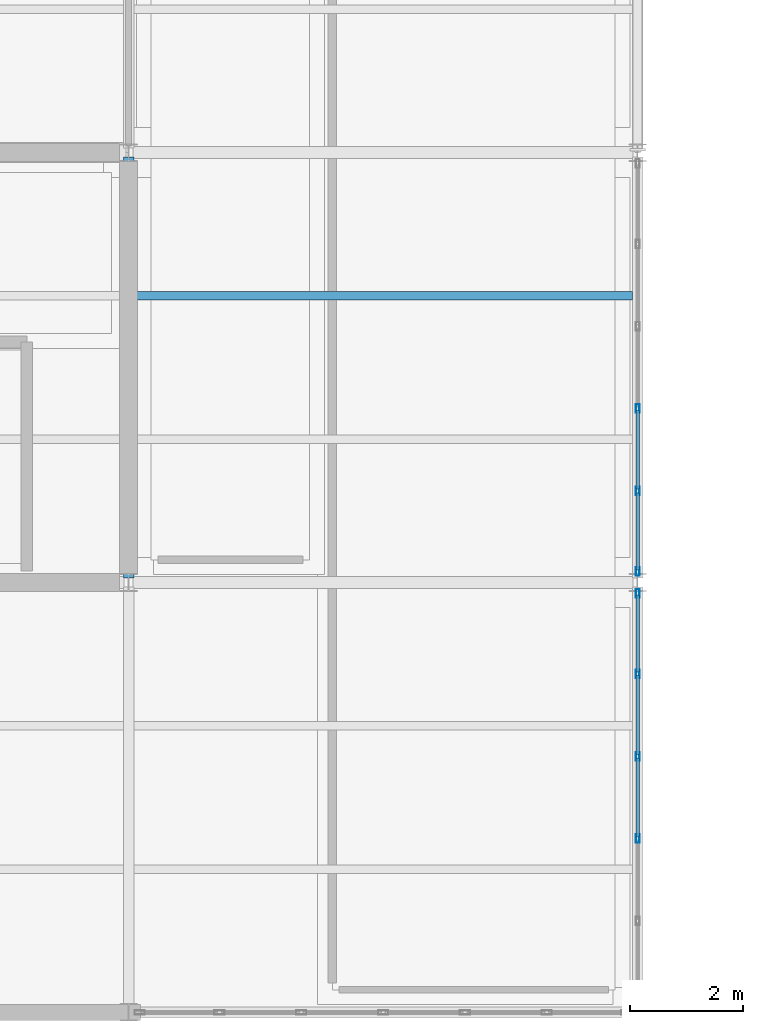
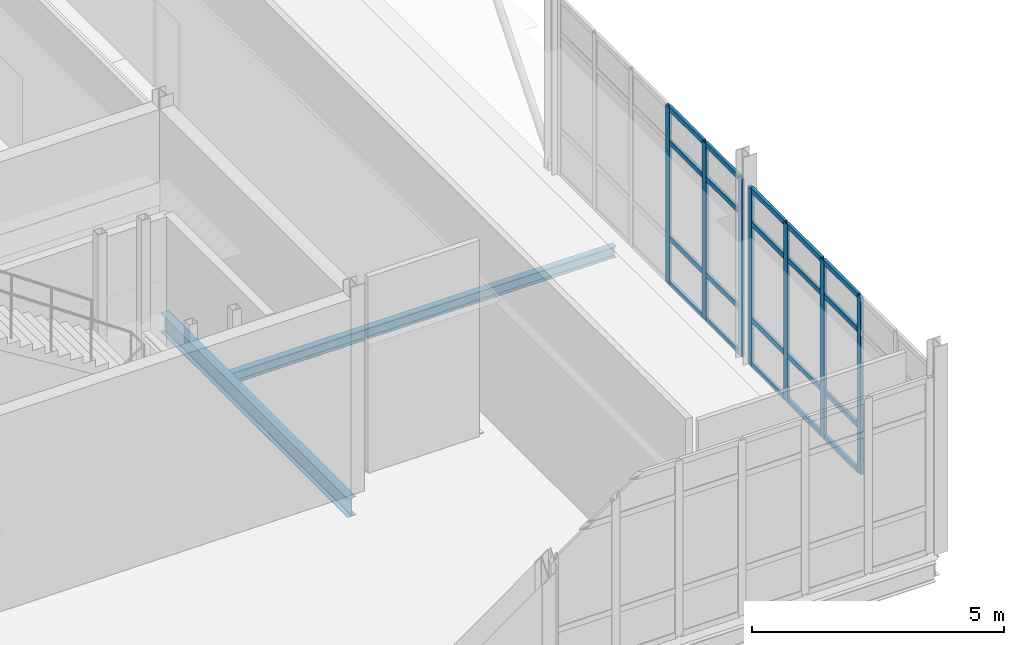
# One storey, part 111 of 161: 27 members, 2 beams, 2 elements without a shape of their own.
"""IFC4 building model written with IfcOpenShell, lengths in metres."""

from ifc_helpers import new_model, si_unit, direction, frame, origin, origin_2d, place, context, subcontext, project, spatial, hollow_rectangle, i_section, extrude, material, material_profile, profile_set, type_object, element, aggregate, save


model = new_model("IFC4")

# Units and contexts
model_context = context("Model", 3, precision=1e-05, world=origin(), true_north=direction((0.0, 1.0)))
body_context = subcontext(model_context, "Body", "Model", "MODEL_VIEW")
ifc_project = project(units=[si_unit("LENGTHUNIT", "METRE"), si_unit("AREAUNIT", "SQUARE_METRE"), si_unit("VOLUMEUNIT", "CUBIC_METRE"), si_unit("PLANEANGLEUNIT", "RADIAN"), si_unit("MASSUNIT", "GRAM", prefix="KILO")], contexts=[model_context])

# Site, building, storey
site_placement = place(None, origin())
site = spatial("IfcSite", under=ifc_project, at=site_placement, CompositionType="ELEMENT")
building_placement = place(site_placement, origin())
building = spatial("IfcBuilding", under=site, at=building_placement, Name="Caisbarro Railhouse Central Library", CompositionType="ELEMENT")
storey_placement = place(building_placement, origin())
storey = spatial("IfcBuildingStorey", under=building, at=storey_placement, Name="L00", CompositionType="ELEMENT", Elevation=0.0)

# Beams
ifc_material_1 = material(Name="Steel ASTM A572 Grade 50", Category="steel")
ifc_material_profile_1 = material_profile(ifc_material_1, i_section(OverallWidth=0.18994140625, OverallDepth=0.45703125, WebThickness=0.009033203125, FlangeThickness=0.014404296875, FilletRadius=0.01806640625, at=origin_2d()), Name="W460X74.0")
ifc_profile_set_1 = profile_set([ifc_material_profile_1], Name="Steel ASTM A572 Grade 50")
beam_type_1 = type_object("IfcBeamType", Name="BM-G08", PredefinedType="BEAM", material=ifc_profile_set_1)
beam_1_placement = place(storey_placement, frame((144.0, 68.47998046875, -0.478515625), z_axis=(0.0, 1.0, 0.0), x_axis=(-1.0, 0.0, 0.0)))
element("IfcBeam", 1, at=beam_1_placement, inside=storey, type_object=beam_type_1, Name="G08 beam L00 #544", PredefinedType="BEAM", context=body_context, shape_type="SweptSolid", body=[
    extrude(i_section(OverallWidth=0.18994140625, OverallDepth=0.45703125, WebThickness=0.009033203125, FlangeThickness=0.014404296875, FilletRadius=0.01806640625, at=origin_2d()), origin(), (0.0, 0.0, 1.0), 7.43994140625),
])
ifc_material_profile_2 = material_profile(ifc_material_1, i_section(OverallWidth=0.14794921875, OverallDepth=0.26611328125, WebThickness=0.007568359375, FlangeThickness=0.012939453125, FilletRadius=0.010009765625, at=origin_2d()), Name="W250X44.8")
ifc_profile_set_2 = profile_set([ifc_material_profile_2], Name="Steel ASTM A572 Grade 50")
beam_type_2 = type_object("IfcBeamType", Name="BM-J04", PredefinedType="JOIST", material=ifc_profile_set_2)
beam_2_placement = place(storey_placement, frame((144.094970703125, 73.466796875, -0.383056640625), z_axis=(1.0, 0.0, 0.0), x_axis=(0.0, 1.0, 0.0)))
element("IfcBeam", 2, at=beam_2_placement, inside=storey, type_object=beam_type_2, Name="J04 beam L00 #602", PredefinedType="JOIST", context=body_context, shape_type="SweptSolid", body=[
    extrude(i_section(OverallWidth=0.14794921875, OverallDepth=0.26611328125, WebThickness=0.007568359375, FlangeThickness=0.012939453125, FilletRadius=0.010009765625, at=origin_2d()), origin(), (0.0, 0.0, 1.0), 8.81005859375),
])

# Curtain wall, members
ifc_material_2 = material(Name="Anodised architectural aluminium", Category="aluminium")
curtain_wall_type = type_object("IfcCurtainWallType", Name="CW-CW03", PredefinedType="NOTDEFINED", material=ifc_material_2)
curtain_wall_1_placement = place(storey_placement, origin())
curtain_wall_1 = element("IfcCurtainWall", 3, at=curtain_wall_1_placement, inside=storey, type_object=curtain_wall_type, Name="CW03 curtain wall L00 #106", PredefinedType="NOTDEFINED")
ifc_material_profile_3 = material_profile(ifc_material_2, hollow_rectangle(XDim=0.06494140625, YDim=0.14990234375, WallThickness=0.00390625, at=origin_2d()), Name="ALU-MUL-65X150")
ifc_profile_set_3 = profile_set([ifc_material_profile_3], Name="Anodised architectural aluminium")
member_type_1 = type_object("IfcMemberType", Name="CWM-M02", PredefinedType="MULLION", material=ifc_profile_set_3)
member_1_placement = place(storey_placement, frame((153.0, 63.8720703125, 0.0), z_axis=(0.0, 0.0, 1.0), x_axis=(-1.0, 0.0, 0.0)))
member_1 = element("IfcMember", 4, at=member_1_placement, type_object=member_type_1, Name="CW03 mullion 3", PredefinedType="MULLION", context=body_context, shape_type="SweptSolid", body=[
    extrude(hollow_rectangle(XDim=0.06494140625, YDim=0.14990234375, WallThickness=0.00390625, at=origin_2d()), origin(), (0.0, 0.0, 1.0), 4.300048828125),
])
member_2_placement = place(storey_placement, frame((153.0, 65.327880859375, 0.0), z_axis=(0.0, 0.0, 1.0), x_axis=(-1.0, 0.0, 0.0)))
member_2 = element("IfcMember", 5, at=member_2_placement, type_object=member_type_1, Name="CW03 mullion 4", PredefinedType="MULLION", context=body_context, shape_type="SweptSolid", body=[
    extrude(hollow_rectangle(XDim=0.06494140625, YDim=0.14990234375, WallThickness=0.00390625, at=origin_2d()), origin(), (0.0, 0.0, 1.0), 4.300048828125),
])
member_3_placement = place(storey_placement, frame((153.0, 66.783935546875, 0.0), z_axis=(0.0, 0.0, 1.0), x_axis=(-1.0, 0.0, 0.0)))
member_3 = element("IfcMember", 6, at=member_3_placement, type_object=member_type_1, Name="CW03 mullion 5", PredefinedType="MULLION", context=body_context, shape_type="SweptSolid", body=[
    extrude(hollow_rectangle(XDim=0.06494140625, YDim=0.14990234375, WallThickness=0.00390625, at=origin_2d()), origin(), (0.0, 0.0, 1.0), 4.300048828125),
])
member_4_placement = place(storey_placement, frame((153.0, 68.20751953125, 0.0), z_axis=(0.0, 0.0, 1.0), x_axis=(-1.0, 0.0, 0.0)))
member_4 = element("IfcMember", 7, at=member_4_placement, type_object=member_type_1, Name="CW03 mullion 6", PredefinedType="MULLION", context=body_context, shape_type="SweptSolid", body=[
    extrude(hollow_rectangle(XDim=0.06494140625, YDim=0.14990234375, WallThickness=0.00390625, at=origin_2d()), origin(), (0.0, 0.0, 1.0), 4.300048828125),
])

curtain_wall_2_placement = place(storey_placement, origin())
curtain_wall_2 = element("IfcCurtainWall", 8, at=curtain_wall_2_placement, inside=storey, type_object=curtain_wall_type, Name="CW03 curtain wall L00 #107", PredefinedType="NOTDEFINED")
member_5_placement = place(storey_placement, frame((153.0, 68.592529296875, 0.0), z_axis=(0.0, 0.0, 1.0), x_axis=(-1.0, 0.0, 0.0)))
member_5 = element("IfcMember", 9, at=member_5_placement, type_object=member_type_1, Name="CW03 mullion 1", PredefinedType="MULLION", context=body_context, shape_type="SweptSolid", body=[
    extrude(hollow_rectangle(XDim=0.06494140625, YDim=0.14990234375, WallThickness=0.00390625, at=origin_2d()), origin(), (0.0, 0.0, 1.0), 4.300048828125),
])
member_6_placement = place(storey_placement, frame((153.0, 70.01611328125, 0.0), z_axis=(0.0, 0.0, 1.0), x_axis=(-1.0, 0.0, 0.0)))
member_6 = element("IfcMember", 10, at=member_6_placement, type_object=member_type_1, Name="CW03 mullion 2", PredefinedType="MULLION", context=body_context, shape_type="SweptSolid", body=[
    extrude(hollow_rectangle(XDim=0.06494140625, YDim=0.14990234375, WallThickness=0.00390625, at=origin_2d()), origin(), (0.0, 0.0, 1.0), 4.300048828125),
])
member_7_placement = place(storey_placement, frame((153.0, 71.471923828125, 0.0), z_axis=(0.0, 0.0, 1.0), x_axis=(-1.0, 0.0, 0.0)))
member_7 = element("IfcMember", 11, at=member_7_placement, type_object=member_type_1, Name="CW03 mullion 3", PredefinedType="MULLION", context=body_context, shape_type="SweptSolid", body=[
    extrude(hollow_rectangle(XDim=0.06494140625, YDim=0.14990234375, WallThickness=0.00390625, at=origin_2d()), origin(), (0.0, 0.0, 1.0), 4.300048828125),
])

# Member
ifc_material_profile_4 = material_profile(ifc_material_2, hollow_rectangle(XDim=0.06494140625, YDim=0.1201171875, WallThickness=0.00341796875, at=origin_2d()), Name="ALU-TRN-65X120")
ifc_profile_set_4 = profile_set([ifc_material_profile_4], Name="Anodised architectural aluminium")
member_type_2 = type_object("IfcMemberType", Name="CWT-T02", PredefinedType="USERDEFINED", material=ifc_profile_set_4)
member_8_placement = place(storey_placement, frame((153.0, 63.904541015625, 0.032470703125), z_axis=(0.0, 1.0, 0.0), x_axis=(-1.0, 0.0, 0.0)))
member_8 = element("IfcMember", 12, at=member_8_placement, type_object=member_type_2, Name="CW03 transom 3.1", ObjectType="TRANSOM", PredefinedType="USERDEFINED", context=body_context, shape_type="SweptSolid", body=[
    extrude(hollow_rectangle(XDim=0.06494140625, YDim=0.1201171875, WallThickness=0.00341796875, at=origin_2d()), origin(), (0.0, 0.0, 1.0), 1.390869140625),
])

member_9_placement = place(storey_placement, frame((153.0, 63.904541015625, 1.1201171875), z_axis=(0.0, 1.0, 0.0), x_axis=(-1.0, 0.0, 0.0)))
member_9 = element("IfcMember", 13, at=member_9_placement, type_object=member_type_2, Name="CW03 transom 3.2", ObjectType="TRANSOM", PredefinedType="USERDEFINED", context=body_context, shape_type="SweptSolid", body=[
    extrude(hollow_rectangle(XDim=0.06494140625, YDim=0.1201171875, WallThickness=0.00341796875, at=origin_2d()), origin(), (0.0, 0.0, 1.0), 1.390869140625),
])

member_10_placement = place(storey_placement, frame((153.0, 63.904541015625, 3.449951171875), z_axis=(0.0, 1.0, 0.0), x_axis=(-1.0, 0.0, 0.0)))
member_10 = element("IfcMember", 14, at=member_10_placement, type_object=member_type_2, Name="CW03 transom 3.3", ObjectType="TRANSOM", PredefinedType="USERDEFINED", context=body_context, shape_type="SweptSolid", body=[
    extrude(hollow_rectangle(XDim=0.06494140625, YDim=0.1201171875, WallThickness=0.00341796875, at=origin_2d()), origin(), (0.0, 0.0, 1.0), 1.390869140625),
])

member_11_placement = place(storey_placement, frame((153.0, 63.904541015625, 4.267578125), z_axis=(0.0, 1.0, 0.0), x_axis=(-1.0, 0.0, 0.0)))
member_11 = element("IfcMember", 15, at=member_11_placement, type_object=member_type_2, Name="CW03 transom 3.4", ObjectType="TRANSOM", PredefinedType="USERDEFINED", context=body_context, shape_type="SweptSolid", body=[
    extrude(hollow_rectangle(XDim=0.06494140625, YDim=0.1201171875, WallThickness=0.00341796875, at=origin_2d()), origin(), (0.0, 0.0, 1.0), 1.390869140625),
])

member_12_placement = place(storey_placement, frame((153.0, 65.360595703125, 0.032470703125), z_axis=(0.0, 1.0, 0.0), x_axis=(-1.0, 0.0, 0.0)))
member_12 = element("IfcMember", 16, at=member_12_placement, type_object=member_type_2, Name="CW03 transom 4.1", ObjectType="TRANSOM", PredefinedType="USERDEFINED", context=body_context, shape_type="SweptSolid", body=[
    extrude(hollow_rectangle(XDim=0.06494140625, YDim=0.1201171875, WallThickness=0.00341796875, at=origin_2d()), origin(), (0.0, 0.0, 1.0), 1.390869140625),
])

member_13_placement = place(storey_placement, frame((153.0, 65.360595703125, 1.1201171875), z_axis=(0.0, 1.0, 0.0), x_axis=(-1.0, 0.0, 0.0)))
member_13 = element("IfcMember", 17, at=member_13_placement, type_object=member_type_2, Name="CW03 transom 4.2", ObjectType="TRANSOM", PredefinedType="USERDEFINED", context=body_context, shape_type="SweptSolid", body=[
    extrude(hollow_rectangle(XDim=0.06494140625, YDim=0.1201171875, WallThickness=0.00341796875, at=origin_2d()), origin(), (0.0, 0.0, 1.0), 1.390869140625),
])

member_14_placement = place(storey_placement, frame((153.0, 65.360595703125, 3.449951171875), z_axis=(0.0, 1.0, 0.0), x_axis=(-1.0, 0.0, 0.0)))
member_14 = element("IfcMember", 18, at=member_14_placement, type_object=member_type_2, Name="CW03 transom 4.3", ObjectType="TRANSOM", PredefinedType="USERDEFINED", context=body_context, shape_type="SweptSolid", body=[
    extrude(hollow_rectangle(XDim=0.06494140625, YDim=0.1201171875, WallThickness=0.00341796875, at=origin_2d()), origin(), (0.0, 0.0, 1.0), 1.390869140625),
])

member_15_placement = place(storey_placement, frame((153.0, 65.360595703125, 4.267578125), z_axis=(0.0, 1.0, 0.0), x_axis=(-1.0, 0.0, 0.0)))
member_15 = element("IfcMember", 19, at=member_15_placement, type_object=member_type_2, Name="CW03 transom 4.4", ObjectType="TRANSOM", PredefinedType="USERDEFINED", context=body_context, shape_type="SweptSolid", body=[
    extrude(hollow_rectangle(XDim=0.06494140625, YDim=0.1201171875, WallThickness=0.00341796875, at=origin_2d()), origin(), (0.0, 0.0, 1.0), 1.390869140625),
])

member_16_placement = place(storey_placement, frame((153.0, 66.81640625, 0.032470703125), z_axis=(0.0, 1.0, 0.0), x_axis=(-1.0, 0.0, 0.0)))
member_16 = element("IfcMember", 20, at=member_16_placement, type_object=member_type_2, Name="CW03 transom 5.1", ObjectType="TRANSOM", PredefinedType="USERDEFINED", context=body_context, shape_type="SweptSolid", body=[
    extrude(hollow_rectangle(XDim=0.06494140625, YDim=0.1201171875, WallThickness=0.00341796875, at=origin_2d()), origin(), (0.0, 0.0, 1.0), 1.358642578125),
])

member_17_placement = place(storey_placement, frame((153.0, 66.81640625, 1.1201171875), z_axis=(0.0, 1.0, 0.0), x_axis=(-1.0, 0.0, 0.0)))
member_17 = element("IfcMember", 21, at=member_17_placement, type_object=member_type_2, Name="CW03 transom 5.2", ObjectType="TRANSOM", PredefinedType="USERDEFINED", context=body_context, shape_type="SweptSolid", body=[
    extrude(hollow_rectangle(XDim=0.06494140625, YDim=0.1201171875, WallThickness=0.00341796875, at=origin_2d()), origin(), (0.0, 0.0, 1.0), 1.358642578125),
])

member_18_placement = place(storey_placement, frame((153.0, 66.81640625, 3.449951171875), z_axis=(0.0, 1.0, 0.0), x_axis=(-1.0, 0.0, 0.0)))
member_18 = element("IfcMember", 22, at=member_18_placement, type_object=member_type_2, Name="CW03 transom 5.3", ObjectType="TRANSOM", PredefinedType="USERDEFINED", context=body_context, shape_type="SweptSolid", body=[
    extrude(hollow_rectangle(XDim=0.06494140625, YDim=0.1201171875, WallThickness=0.00341796875, at=origin_2d()), origin(), (0.0, 0.0, 1.0), 1.358642578125),
])

member_19_placement = place(storey_placement, frame((153.0, 66.81640625, 4.267578125), z_axis=(0.0, 1.0, 0.0), x_axis=(-1.0, 0.0, 0.0)))
member_19 = element("IfcMember", 23, at=member_19_placement, type_object=member_type_2, Name="CW03 transom 5.4", ObjectType="TRANSOM", PredefinedType="USERDEFINED", context=body_context, shape_type="SweptSolid", body=[
    extrude(hollow_rectangle(XDim=0.06494140625, YDim=0.1201171875, WallThickness=0.00341796875, at=origin_2d()), origin(), (0.0, 0.0, 1.0), 1.358642578125),
])

aggregate(curtain_wall_1, [member_1, member_2, member_3, member_4, member_8, member_9, member_10, member_11, member_12, member_13, member_14, member_15, member_16, member_17, member_18, member_19])

member_20_placement = place(storey_placement, frame((153.0, 68.625, 0.032470703125), z_axis=(0.0, 1.0, 0.0), x_axis=(-1.0, 0.0, 0.0)))
member_20 = element("IfcMember", 24, at=member_20_placement, type_object=member_type_2, Name="CW03 transom 1.1", ObjectType="TRANSOM", PredefinedType="USERDEFINED", context=body_context, shape_type="SweptSolid", body=[
    extrude(hollow_rectangle(XDim=0.06494140625, YDim=0.1201171875, WallThickness=0.00341796875, at=origin_2d()), origin(), (0.0, 0.0, 1.0), 1.3583984375),
])

member_21_placement = place(storey_placement, frame((153.0, 68.625, 1.1201171875), z_axis=(0.0, 1.0, 0.0), x_axis=(-1.0, 0.0, 0.0)))
member_21 = element("IfcMember", 25, at=member_21_placement, type_object=member_type_2, Name="CW03 transom 1.2", ObjectType="TRANSOM", PredefinedType="USERDEFINED", context=body_context, shape_type="SweptSolid", body=[
    extrude(hollow_rectangle(XDim=0.06494140625, YDim=0.1201171875, WallThickness=0.00341796875, at=origin_2d()), origin(), (0.0, 0.0, 1.0), 1.3583984375),
])

member_22_placement = place(storey_placement, frame((153.0, 68.625, 3.449951171875), z_axis=(0.0, 1.0, 0.0), x_axis=(-1.0, 0.0, 0.0)))
member_22 = element("IfcMember", 26, at=member_22_placement, type_object=member_type_2, Name="CW03 transom 1.3", ObjectType="TRANSOM", PredefinedType="USERDEFINED", context=body_context, shape_type="SweptSolid", body=[
    extrude(hollow_rectangle(XDim=0.06494140625, YDim=0.1201171875, WallThickness=0.00341796875, at=origin_2d()), origin(), (0.0, 0.0, 1.0), 1.3583984375),
])

member_23_placement = place(storey_placement, frame((153.0, 68.625, 4.267578125), z_axis=(0.0, 1.0, 0.0), x_axis=(-1.0, 0.0, 0.0)))
member_23 = element("IfcMember", 27, at=member_23_placement, type_object=member_type_2, Name="CW03 transom 1.4", ObjectType="TRANSOM", PredefinedType="USERDEFINED", context=body_context, shape_type="SweptSolid", body=[
    extrude(hollow_rectangle(XDim=0.06494140625, YDim=0.1201171875, WallThickness=0.00341796875, at=origin_2d()), origin(), (0.0, 0.0, 1.0), 1.3583984375),
])

member_24_placement = place(storey_placement, frame((153.0, 70.048583984375, 0.032470703125), z_axis=(0.0, 1.0, 0.0), x_axis=(-1.0, 0.0, 0.0)))
member_24 = element("IfcMember", 28, at=member_24_placement, type_object=member_type_2, Name="CW03 transom 2.1", ObjectType="TRANSOM", PredefinedType="USERDEFINED", context=body_context, shape_type="SweptSolid", body=[
    extrude(hollow_rectangle(XDim=0.06494140625, YDim=0.1201171875, WallThickness=0.00341796875, at=origin_2d()), origin(), (0.0, 0.0, 1.0), 1.390869140625),
])

member_25_placement = place(storey_placement, frame((153.0, 70.048583984375, 1.1201171875), z_axis=(0.0, 1.0, 0.0), x_axis=(-1.0, 0.0, 0.0)))
member_25 = element("IfcMember", 29, at=member_25_placement, type_object=member_type_2, Name="CW03 transom 2.2", ObjectType="TRANSOM", PredefinedType="USERDEFINED", context=body_context, shape_type="SweptSolid", body=[
    extrude(hollow_rectangle(XDim=0.06494140625, YDim=0.1201171875, WallThickness=0.00341796875, at=origin_2d()), origin(), (0.0, 0.0, 1.0), 1.390869140625),
])

member_26_placement = place(storey_placement, frame((153.0, 70.048583984375, 3.449951171875), z_axis=(0.0, 1.0, 0.0), x_axis=(-1.0, 0.0, 0.0)))
member_26 = element("IfcMember", 30, at=member_26_placement, type_object=member_type_2, Name="CW03 transom 2.3", ObjectType="TRANSOM", PredefinedType="USERDEFINED", context=body_context, shape_type="SweptSolid", body=[
    extrude(hollow_rectangle(XDim=0.06494140625, YDim=0.1201171875, WallThickness=0.00341796875, at=origin_2d()), origin(), (0.0, 0.0, 1.0), 1.390869140625),
])

member_27_placement = place(storey_placement, frame((153.0, 70.048583984375, 4.267578125), z_axis=(0.0, 1.0, 0.0), x_axis=(-1.0, 0.0, 0.0)))
member_27 = element("IfcMember", 31, at=member_27_placement, type_object=member_type_2, Name="CW03 transom 2.4", ObjectType="TRANSOM", PredefinedType="USERDEFINED", context=body_context, shape_type="SweptSolid", body=[
    extrude(hollow_rectangle(XDim=0.06494140625, YDim=0.1201171875, WallThickness=0.00341796875, at=origin_2d()), origin(), (0.0, 0.0, 1.0), 1.390869140625),
])

aggregate(curtain_wall_2, [member_5, member_6, member_7, member_20, member_21, member_22, member_23, member_24, member_25, member_26, member_27])

save(model, "model.ifc")
